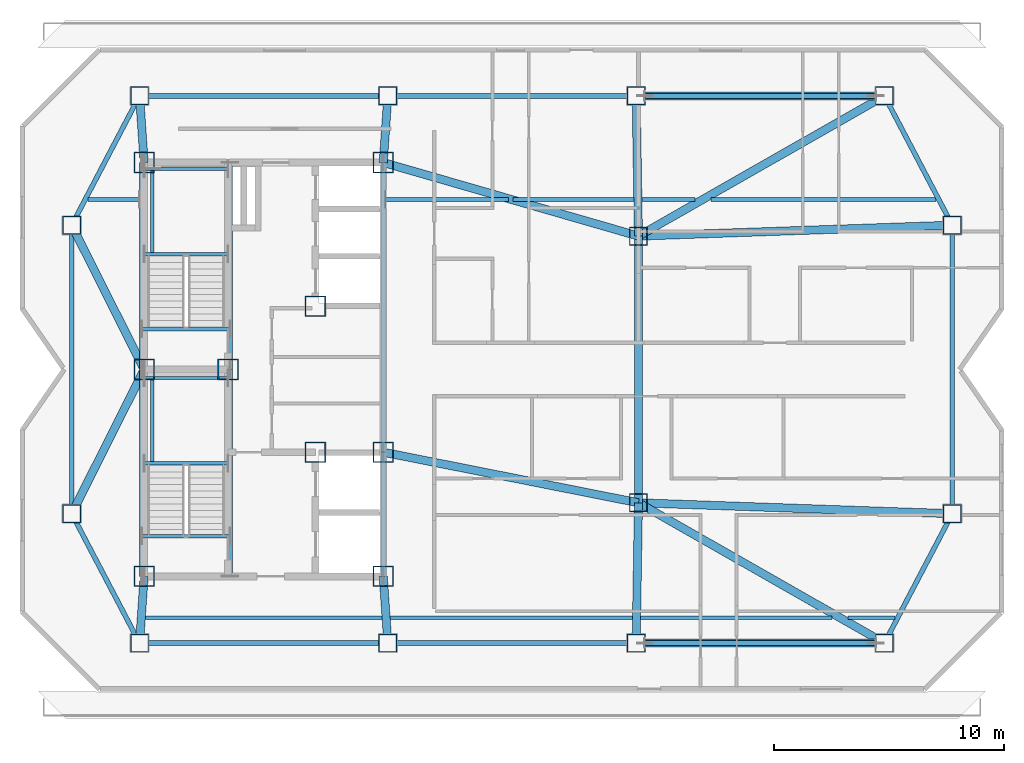
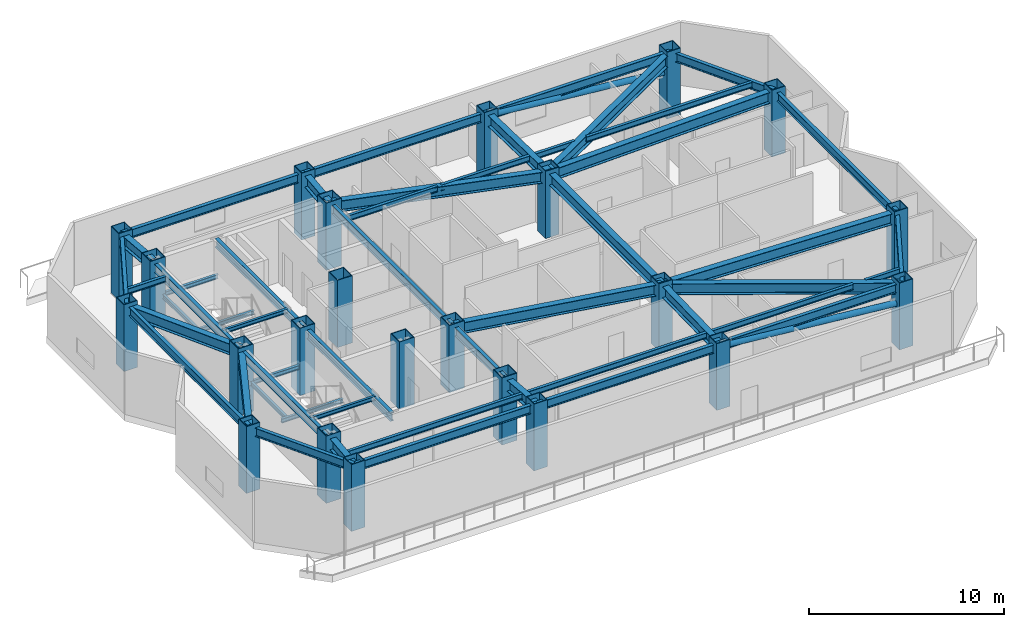
# One storey, part 1 of 11: 50 beams, 23 columns, 2 members.
"""IFC4 building model written with IfcOpenShell, lengths in metres."""

from ifc_helpers import new_model, si_unit, direction, frame, origin, origin_2d, place, context, subcontext, project, spatial, hollow_rectangle, hollow_circle, i_section, extrude, material, material_profile, profile_set, type_object, element, save


model = new_model("IFC4")

# Units and contexts
model_context = context("Model", 3, precision=1e-05, world=origin(), true_north=direction((0.0, 1.0)))
body_context = subcontext(model_context, "Body", "Model", "MODEL_VIEW")
ifc_project = project(units=[si_unit("LENGTHUNIT", "METRE"), si_unit("AREAUNIT", "SQUARE_METRE"), si_unit("VOLUMEUNIT", "CUBIC_METRE"), si_unit("PLANEANGLEUNIT", "RADIAN"), si_unit("MASSUNIT", "GRAM", prefix="KILO")], contexts=[model_context])

# Site, building, storey
site_placement = place(None, origin())
site = spatial("IfcSite", under=ifc_project, at=site_placement, CompositionType="ELEMENT")
building_placement = place(site_placement, origin())
building = spatial("IfcBuilding", under=site, at=building_placement, Name="Khamvora Tower", CompositionType="ELEMENT")
storey_placement = place(building_placement, frame((0.0, 0.0, 277.85009765625)))
storey = spatial("IfcBuildingStorey", under=building, at=storey_placement, Name="L71", CompositionType="ELEMENT", Elevation=277.85009765625)

# Columns
ifc_material_1 = material(Name="Steel S355", Category="steel")
ifc_material_profile_1 = material_profile(ifc_material_1, hollow_rectangle(XDim=0.800048828125, YDim=0.800048828125, WallThickness=0.0400390625, at=origin_2d()), Name="BOX800x800x40")
ifc_profile_set_1 = profile_set([ifc_material_profile_1], Name="Steel S355")
column_type_1 = type_object("IfcColumnType", Name="COL-BOX800", PredefinedType="COLUMN", material=ifc_profile_set_1)
for number, where, z_axis, x_axis, name in (
    (1, (28.800048828125, 16.10009765625, 0.02490234375), (0.0, 0.0, 1.0), (1.0, 0.0, 0.0), "L71 structural frame column S1"),
    (2, (39.60009765625, 16.10009765625, 0.02490234375), (0.0, 0.0, 1.0), (1.0, 0.0, 0.0), "L71 structural frame column S2"),
    (3, (50.39990234375, 16.10009765625, 0.02490234375), (0.0, 0.0, 1.0), (1.0, 0.0, 0.0), "L71 structural frame column S3"),
    (4, (61.199951171875, 16.10009765625, 0.02490234375), (0.0, 0.0, 1.0), (1.0, 0.0, 0.0), "L71 structural frame column S4"),
    (5, (28.800048828125, 39.89990234375, 0.02490234375), (0.0, 0.0, 1.0), (1.0, 0.0, 0.0), "L71 structural frame column N1"),
    (6, (39.60009765625, 39.89990234375, 0.02490234375), (0.0, 0.0, 1.0), (1.0, 0.0, 0.0), "L71 structural frame column N2"),
    (7, (50.39990234375, 39.89990234375, 0.02490234375), (0.0, 0.0, 1.0), (1.0, 0.0, 0.0), "L71 structural frame column N3"),
    (8, (61.199951171875, 39.89990234375, 0.02490234375), (0.0, 0.0, 1.0), (1.0, 0.0, 0.0), "L71 structural frame column N4"),
    (9, (25.85009765625, 21.72509765625, 0.02490234375), (0.0, 0.0, 1.0), (1.0, 0.0, 0.0), "L71 structural frame column W1"),
    (10, (25.85009765625, 34.27490234375, 0.02490234375), (0.0, 0.0, 1.0), (1.0, 0.0, 0.0), "L71 structural frame column W2"),
    (11, (64.14990234375, 21.72509765625, 0.02490234375), (0.0, 0.0, 1.0), (1.0, 0.0, 0.0), "L71 structural frame column E1"),
    (12, (64.14990234375, 34.27490234375, 0.02490234375), (0.0, 0.0, 1.0), (1.0, 0.0, 0.0), "L71 structural frame column E2"),
):
    element("IfcColumn", number, at=place(storey_placement, frame(where, z_axis=z_axis, x_axis=x_axis)), inside=storey, type_object=column_type_1, Name=name, PredefinedType="COLUMN", context=body_context, shape_type="SweptSolid", body=[
        extrude(hollow_rectangle(XDim=0.800048828125, YDim=0.800048828125, WallThickness=0.0400390625, at=origin_2d()), origin(), (0.0, 0.0, 1.0), 4.175048828125),
    ])
for number, where, z_axis, x_axis, name in (
    (13, (50.5, 22.199951171875, 0.0), (0.0, 0.0, 1.0), (1.0, 0.0, 0.0), "L71 structural frame column M1"),
    (14, (50.5, 33.800048828125, 0.0), (0.0, 0.0, 1.0), (1.0, 0.0, 0.0), "L71 structural frame column M2"),
):
    element("IfcColumn", number, at=place(storey_placement, frame(where, z_axis=z_axis, x_axis=x_axis)), inside=storey, type_object=column_type_1, Name=name, PredefinedType="COLUMN", context=body_context, shape_type="SweptSolid", body=[
        extrude(hollow_rectangle(XDim=0.800048828125, YDim=0.800048828125, WallThickness=0.0400390625, at=origin_2d()), origin(), (0.0, 0.0, 1.0), 4.199951171875),
    ])
ifc_material_2 = material(Name="Structural Steel S460ML", Category="steel")
ifc_material_profile_2 = material_profile(ifc_material_2, hollow_rectangle(XDim=0.89990234375, YDim=0.89990234375, WallThickness=0.044921875, at=origin_2d()), Name="BOX900x900x45")
ifc_profile_set_2 = profile_set([ifc_material_profile_2], Name="Structural Steel S460ML")
column_type_2 = type_object("IfcColumnType", Name="COL-SC-BOX900", PredefinedType="COLUMN", material=ifc_profile_set_2)
for number, where, z_axis, x_axis, name in (
    (15, (29.0, 19.0, 0.0), (0.0, 0.0, 1.0), (1.0, 0.0, 0.0), "L71 plumb core spine column SC1"),
    (16, (32.64990234375, 28.0, 0.0), (0.0, 0.0, 1.0), (1.0, 0.0, 0.0), "L71 plumb core spine column SC2"),
    (17, (39.39990234375, 19.0, 0.0), (0.0, 0.0, 1.0), (1.0, 0.0, 0.0), "L71 plumb core spine column SC3"),
    (18, (29.0, 28.0, 0.0), (0.0, 0.0, 1.0), (1.0, 0.0, 0.0), "L71 plumb core spine column SC4"),
    (19, (36.449951171875, 24.39990234375, 0.0), (0.0, 0.0, 1.0), (1.0, 0.0, 0.0), "L71 plumb core spine column SC5"),
    (20, (39.39990234375, 24.39990234375, 0.0), (0.0, 0.0, 1.0), (1.0, 0.0, 0.0), "L71 plumb core spine column SC6"),
    (21, (29.0, 37.0, 0.0), (0.0, 0.0, 1.0), (1.0, 0.0, 0.0), "L71 plumb core spine column SC7"),
    (22, (36.449951171875, 30.75, 0.0), (0.0, 0.0, 1.0), (1.0, 0.0, 0.0), "L71 plumb core spine column SC8"),
    (23, (39.39990234375, 37.0, 0.0), (0.0, 0.0, 1.0), (1.0, 0.0, 0.0), "L71 plumb core spine column SC9"),
):
    element("IfcColumn", number, at=place(storey_placement, frame(where, z_axis=z_axis, x_axis=x_axis)), inside=storey, type_object=column_type_2, Name=name, PredefinedType="COLUMN", context=body_context, shape_type="SweptSolid", body=[
        extrude(hollow_rectangle(XDim=0.89990234375, YDim=0.89990234375, WallThickness=0.044921875, at=origin_2d()), origin(), (0.0, 0.0, 1.0), 4.199951171875),
    ])

# Beams
ifc_material_profile_3 = material_profile(ifc_material_1, i_section(OverallWidth=0.1708984375, OverallDepth=0.35498046875, WebThickness=0.007080078125, FlangeThickness=0.011962890625, FilletRadius=0.010009765625, at=origin_2d()), Name="W360x51")
ifc_profile_set_3 = profile_set([ifc_material_profile_3], Name="Steel S355")
beam_type_1 = type_object("IfcBeamType", Name="BM-JS-W360x51", PredefinedType="JOIST", material=ifc_profile_set_3)
beam_1_placement = place(storey_placement, frame((29.049072265625, 17.199951171875, 3.77294921875), z_axis=(1.0, 0.0, 0.0), x_axis=(0.0, 1.0, 0.0)))
element("IfcBeam", 24, at=beam_1_placement, inside=storey, type_object=beam_type_1, Name="L71 secondary floor joist 01", PredefinedType="JOIST", context=body_context, shape_type="SweptSolid", body=[
    extrude(i_section(OverallWidth=0.1708984375, OverallDepth=0.35498046875, WebThickness=0.007080078125, FlangeThickness=0.011962890625, FilletRadius=0.010009765625, at=origin_2d()), origin(), (0.0, 0.0, 1.0), 10.302001953125),
])
beam_2_placement = place(storey_placement, frame((39.697021484375, 17.199951171875, 3.77294921875), z_axis=(1.0, 0.0, 0.0), x_axis=(0.0, 1.0, 0.0)))
element("IfcBeam", 25, at=beam_2_placement, inside=storey, type_object=beam_type_1, Name="L71 secondary floor joist 02", PredefinedType="JOIST", context=body_context, shape_type="SweptSolid", body=[
    extrude(i_section(OverallWidth=0.1708984375, OverallDepth=0.35498046875, WebThickness=0.007080078125, FlangeThickness=0.011962890625, FilletRadius=0.010009765625, at=origin_2d()), origin(), (0.0, 0.0, 1.0), 10.549072265625),
])
beam_3_placement = place(storey_placement, frame((50.591064453125, 17.199951171875, 3.77294921875), z_axis=(1.0, 0.0, 0.0), x_axis=(0.0, 1.0, 0.0)))
element("IfcBeam", 26, at=beam_3_placement, inside=storey, type_object=beam_type_1, Name="L71 secondary floor joist 03", PredefinedType="JOIST", context=body_context, shape_type="SweptSolid", body=[
    extrude(i_section(OverallWidth=0.1708984375, OverallDepth=0.35498046875, WebThickness=0.007080078125, FlangeThickness=0.011962890625, FilletRadius=0.010009765625, at=origin_2d()), origin(), (0.0, 0.0, 1.0), 8.325927734375),
])
beam_4_placement = place(storey_placement, frame((59.6240234375, 17.199951171875, 3.77294921875), z_axis=(1.0, 0.0, 0.0), x_axis=(0.0, 1.0, 0.0)))
element("IfcBeam", 27, at=beam_4_placement, inside=storey, type_object=beam_type_1, Name="L71 secondary floor joist 04", PredefinedType="JOIST", context=body_context, shape_type="SweptSolid", body=[
    extrude(i_section(OverallWidth=0.1708984375, OverallDepth=0.35498046875, WebThickness=0.007080078125, FlangeThickness=0.011962890625, FilletRadius=0.010009765625, at=origin_2d()), origin(), (0.0, 0.0, 1.0), 2.0400390625),
])
beam_5_placement = place(storey_placement, frame((26.552978515625, 35.39990234375, 3.77294921875), z_axis=(1.0, 0.0, 0.0), x_axis=(0.0, 1.0, 0.0)))
element("IfcBeam", 28, at=beam_5_placement, inside=storey, type_object=beam_type_1, Name="L71 secondary floor joist 05", PredefinedType="JOIST", context=body_context, shape_type="SweptSolid", body=[
    extrude(i_section(OverallWidth=0.1708984375, OverallDepth=0.35498046875, WebThickness=0.007080078125, FlangeThickness=0.011962890625, FilletRadius=0.010009765625, at=origin_2d()), origin(), (0.0, 0.0, 1.0), 2.2470703125),
])
beam_6_placement = place(storey_placement, frame((39.4990234375, 35.39990234375, 3.77294921875), z_axis=(1.0, 0.0, 0.0), x_axis=(0.0, 1.0, 0.0)))
element("IfcBeam", 29, at=beam_6_placement, inside=storey, type_object=beam_type_1, Name="L71 secondary floor joist 06", PredefinedType="JOIST", context=body_context, shape_type="SweptSolid", body=[
    extrude(i_section(OverallWidth=0.1708984375, OverallDepth=0.35498046875, WebThickness=0.007080078125, FlangeThickness=0.011962890625, FilletRadius=0.010009765625, at=origin_2d()), origin(), (0.0, 0.0, 1.0), 5.35595703125),
])
beam_7_placement = place(storey_placement, frame((45.044921875, 35.39990234375, 3.77294921875), z_axis=(1.0, 0.0, 0.0), x_axis=(0.0, 1.0, 0.0)))
element("IfcBeam", 30, at=beam_7_placement, inside=storey, type_object=beam_type_1, Name="L71 secondary floor joist 07", PredefinedType="JOIST", context=body_context, shape_type="SweptSolid", body=[
    extrude(i_section(OverallWidth=0.1708984375, OverallDepth=0.35498046875, WebThickness=0.007080078125, FlangeThickness=0.011962890625, FilletRadius=0.010009765625, at=origin_2d()), origin(), (0.0, 0.0, 1.0), 5.256103515625),
])
beam_8_placement = place(storey_placement, frame((50.64599609375, 35.39990234375, 3.77294921875), z_axis=(1.0, 0.0, 0.0), x_axis=(0.0, 1.0, 0.0)))
element("IfcBeam", 31, at=beam_8_placement, inside=storey, type_object=beam_type_1, Name="L71 secondary floor joist 08", PredefinedType="JOIST", context=body_context, shape_type="SweptSolid", body=[
    extrude(i_section(OverallWidth=0.1708984375, OverallDepth=0.35498046875, WebThickness=0.007080078125, FlangeThickness=0.011962890625, FilletRadius=0.010009765625, at=origin_2d()), origin(), (0.0, 0.0, 1.0), 2.306884765625),
])
beam_9_placement = place(storey_placement, frame((53.659912109375, 35.39990234375, 3.77294921875), z_axis=(1.0, 0.0, 0.0), x_axis=(0.0, 1.0, 0.0)))
element("IfcBeam", 32, at=beam_9_placement, inside=storey, type_object=beam_type_1, Name="L71 secondary floor joist 09", PredefinedType="JOIST", context=body_context, shape_type="SweptSolid", body=[
    extrude(i_section(OverallWidth=0.1708984375, OverallDepth=0.35498046875, WebThickness=0.007080078125, FlangeThickness=0.011962890625, FilletRadius=0.010009765625, at=origin_2d()), origin(), (0.0, 0.0, 1.0), 9.787109375),
])
ifc_material_profile_4 = material_profile(ifc_material_1, i_section(OverallWidth=0.14697265625, OverallDepth=0.261962890625, WebThickness=0.007080078125, FlangeThickness=0.010986328125, FilletRadius=0.008056640625, at=origin_2d()), Name="W250x39")
ifc_profile_set_4 = profile_set([ifc_material_profile_4], Name="Steel S355")
beam_type_2 = type_object("IfcBeamType", Name="BM-LN-W250x39", PredefinedType="LINTEL", material=ifc_profile_set_4)
for number, where, z_axis, x_axis, name in (
    (33, (29.0, 23.9150390625, 1.768798828125), (1.0, 0.0, 0.0), (0.0, 1.0, 0.0), "L71 ST-01 half-landing support beam 1.1"),
    (34, (29.0, 27.6298828125, 1.768798828125), (1.0, 0.0, 0.0), (0.0, 1.0, 0.0), "L71 ST-01 half-landing support beam 1.2"),
):
    element("IfcBeam", number, at=place(storey_placement, frame(where, z_axis=z_axis, x_axis=x_axis)), inside=storey, type_object=beam_type_2, Name=name, PredefinedType="LINTEL", context=body_context, shape_type="SweptSolid", body=[
        extrude(i_section(OverallWidth=0.14697265625, OverallDepth=0.261962890625, WebThickness=0.007080078125, FlangeThickness=0.010986328125, FilletRadius=0.008056640625, at=origin_2d()), origin(), (0.0, 0.0, 1.0), 3.64990234375),
    ])
beam_10_placement = place(storey_placement, frame((29.35009765625, 23.9150390625, 1.768798828125), z_axis=(0.0, 1.0, 0.0), x_axis=(-1.0, 0.0, 0.0)))
element("IfcBeam", 35, at=beam_10_placement, inside=storey, type_object=beam_type_2, Name="L71 ST-01 half-landing edge stringer 1", PredefinedType="LINTEL", context=body_context, shape_type="SweptSolid", body=[
    extrude(i_section(OverallWidth=0.14697265625, OverallDepth=0.261962890625, WebThickness=0.007080078125, FlangeThickness=0.010986328125, FilletRadius=0.008056640625, at=origin_2d()), origin(), (0.0, 0.0, 1.0), 3.71484375),
])
for number, where, z_axis, x_axis, name in (
    (36, (29.0, 33.014892578125, 1.768798828125), (1.0, 0.0, 0.0), (0.0, 1.0, 0.0), "L71 ST-02 half-landing support beam 1.1"),
    (37, (29.0, 36.72998046875, 1.768798828125), (1.0, 0.0, 0.0), (0.0, 1.0, 0.0), "L71 ST-02 half-landing support beam 1.2"),
):
    element("IfcBeam", number, at=place(storey_placement, frame(where, z_axis=z_axis, x_axis=x_axis)), inside=storey, type_object=beam_type_2, Name=name, PredefinedType="LINTEL", context=body_context, shape_type="SweptSolid", body=[
        extrude(i_section(OverallWidth=0.14697265625, OverallDepth=0.261962890625, WebThickness=0.007080078125, FlangeThickness=0.010986328125, FilletRadius=0.008056640625, at=origin_2d()), origin(), (0.0, 0.0, 1.0), 3.64990234375),
    ])
beam_11_placement = place(storey_placement, frame((29.35009765625, 33.014892578125, 1.768798828125), z_axis=(0.0, 1.0, 0.0), x_axis=(-1.0, 0.0, 0.0)))
element("IfcBeam", 38, at=beam_11_placement, inside=storey, type_object=beam_type_2, Name="L71 ST-02 half-landing edge stringer 1", PredefinedType="LINTEL", context=body_context, shape_type="SweptSolid", body=[
    extrude(i_section(OverallWidth=0.14697265625, OverallDepth=0.261962890625, WebThickness=0.007080078125, FlangeThickness=0.010986328125, FilletRadius=0.008056640625, at=origin_2d()), origin(), (0.0, 0.0, 1.0), 3.715087890625),
])
for number, where, z_axis, x_axis, name in (
    (39, (28.89990234375, 20.75, 3.823974609375), (1.0, 0.0, 0.0), (0.0, 1.0, 0.0), "L71 exit stair ST-01 landing trimmer beam"),
    (40, (28.89990234375, 29.75, 3.823974609375), (1.0, 0.0, 0.0), (0.0, 1.0, 0.0), "L71 exit stair ST-02 landing trimmer beam"),
):
    element("IfcBeam", number, at=place(storey_placement, frame(where, z_axis=z_axis, x_axis=x_axis)), inside=storey, type_object=beam_type_2, Name=name, PredefinedType="LINTEL", context=body_context, shape_type="SweptSolid", body=[
        extrude(i_section(OverallWidth=0.14697265625, OverallDepth=0.261962890625, WebThickness=0.007080078125, FlangeThickness=0.010986328125, FilletRadius=0.008056640625, at=origin_2d()), origin(), (0.0, 0.0, 1.0), 3.830078125),
    ])
ifc_material_profile_5 = material_profile(ifc_material_1, i_section(OverallWidth=0.35498046875, OverallDepth=0.695068359375, WebThickness=0.014892578125, FlangeThickness=0.02490234375, FilletRadius=0.01611328125, at=origin_2d()), Name="W690x217")
ifc_profile_set_5 = profile_set([ifc_material_profile_5], Name="Steel S355")
beam_type_3 = type_object("IfcBeamType", Name="BM-PG-W690x217", PredefinedType="BEAM", material=ifc_profile_set_5)
beam_12_placement = place(storey_placement, frame((50.5, 22.199951171875, 3.601806640625), z_axis=(0.0, 1.0, 0.0), x_axis=(-1.0, 0.0, 0.0)))
element("IfcBeam", 41, at=beam_12_placement, inside=storey, type_object=beam_type_3, Name="L71 longitudinal frame girder M1-M2", PredefinedType="BEAM", context=body_context, shape_type="SweptSolid", body=[
    extrude(i_section(OverallWidth=0.35498046875, OverallDepth=0.695068359375, WebThickness=0.014892578125, FlangeThickness=0.02490234375, FilletRadius=0.01611328125, at=origin_2d()), origin(), (0.0, 0.0, 1.0), 11.60009765625),
])
for number, where, z_axis, x_axis, name in (
    (42, (29.0, 19.0, 3.601806640625), (-0.06878767915, -0.997631322281, 0.0), (0.997631322281, -0.06878767915, 0.0), "L71 primary floor girder S1"),
    (43, (39.39990234375, 19.0, 3.601806640625), (0.068871270847, -0.997625555031, 0.0), (0.997625555031, 0.068871270847, 0.0), "L71 primary floor girder S2"),
):
    element("IfcBeam", number, at=place(storey_placement, frame(where, z_axis=z_axis, x_axis=x_axis)), inside=storey, type_object=beam_type_3, Name=name, PredefinedType="BEAM", context=body_context, shape_type="SweptSolid", body=[
        extrude(i_section(OverallWidth=0.35498046875, OverallDepth=0.695068359375, WebThickness=0.014892578125, FlangeThickness=0.02490234375, FilletRadius=0.01611328125, at=origin_2d()), origin(), (0.0, 0.0, 1.0), 2.90673828125),
    ])
beam_13_placement = place(storey_placement, frame((50.5, 22.199951171875, 3.601806640625), z_axis=(-0.016407636907, -0.999865385665, 0.0), x_axis=(0.999865385665, -0.016407636907, 0.0)))
element("IfcBeam", 44, at=beam_13_placement, inside=storey, type_object=beam_type_3, Name="L71 primary floor girder S3", PredefinedType="BEAM", context=body_context, shape_type="SweptSolid", body=[
    extrude(i_section(OverallWidth=0.35498046875, OverallDepth=0.695068359375, WebThickness=0.014892578125, FlangeThickness=0.02490234375, FilletRadius=0.01611328125, at=origin_2d()), origin(), (0.0, 0.0, 1.0), 6.1005859375),
])
beam_14_placement = place(storey_placement, frame((50.5, 22.199951171875, 3.601806640625), z_axis=(0.868746482726, -0.495257053207, 0.0), x_axis=(0.495257053207, 0.868746482726, 0.0)))
element("IfcBeam", 45, at=beam_14_placement, inside=storey, type_object=beam_type_3, Name="L71 primary floor girder S4", PredefinedType="BEAM", context=body_context, shape_type="SweptSolid", body=[
    extrude(i_section(OverallWidth=0.35498046875, OverallDepth=0.695068359375, WebThickness=0.014892578125, FlangeThickness=0.02490234375, FilletRadius=0.01611328125, at=origin_2d()), origin(), (0.0, 0.0, 1.0), 12.316650390625),
])
for number, where, z_axis, x_axis, name in (
    (46, (29.0, 37.0, 3.601806640625), (-0.06878767915, 0.997631322281, 0.0), (-0.997631322281, -0.06878767915, 0.0), "L71 primary floor girder N1"),
    (47, (39.39990234375, 37.0, 3.601806640625), (0.068871270847, 0.997625555031, 0.0), (-0.997625555031, 0.068871270847, 0.0), "L71 primary floor girder N2"),
):
    element("IfcBeam", number, at=place(storey_placement, frame(where, z_axis=z_axis, x_axis=x_axis)), inside=storey, type_object=beam_type_3, Name=name, PredefinedType="BEAM", context=body_context, shape_type="SweptSolid", body=[
        extrude(i_section(OverallWidth=0.35498046875, OverallDepth=0.695068359375, WebThickness=0.014892578125, FlangeThickness=0.02490234375, FilletRadius=0.01611328125, at=origin_2d()), origin(), (0.0, 0.0, 1.0), 2.90673828125),
    ])
beam_15_placement = place(storey_placement, frame((50.5, 33.800048828125, 3.601806640625), z_axis=(-0.016407636907, 0.999865385665, 0.0), x_axis=(-0.999865385665, -0.016407636907, 0.0)))
element("IfcBeam", 48, at=beam_15_placement, inside=storey, type_object=beam_type_3, Name="L71 primary floor girder N3", PredefinedType="BEAM", context=body_context, shape_type="SweptSolid", body=[
    extrude(i_section(OverallWidth=0.35498046875, OverallDepth=0.695068359375, WebThickness=0.014892578125, FlangeThickness=0.02490234375, FilletRadius=0.01611328125, at=origin_2d()), origin(), (0.0, 0.0, 1.0), 6.1005859375),
])
beam_16_placement = place(storey_placement, frame((50.5, 33.800048828125, 3.601806640625), z_axis=(0.868746482726, 0.495257053207, 0.0), x_axis=(-0.495257053207, 0.868746482726, 0.0)))
element("IfcBeam", 49, at=beam_16_placement, inside=storey, type_object=beam_type_3, Name="L71 primary floor girder N4", PredefinedType="BEAM", context=body_context, shape_type="SweptSolid", body=[
    extrude(i_section(OverallWidth=0.35498046875, OverallDepth=0.695068359375, WebThickness=0.014892578125, FlangeThickness=0.02490234375, FilletRadius=0.01611328125, at=origin_2d()), origin(), (0.0, 0.0, 1.0), 12.316650390625),
])
for number, where, z_axis, x_axis, name in (
    (50, (29.0, 28.0, 3.601806640625), (-0.448631741267, -0.893716711675, 0.0), (0.893716711675, -0.448631741267, 0.0), "L71 primary floor girder W1"),
    (51, (29.0, 28.0, 3.601806640625), (-0.448631741267, 0.893716711675, 0.0), (-0.893716711675, -0.448631741267, 0.0), "L71 primary floor girder W2"),
):
    element("IfcBeam", number, at=place(storey_placement, frame(where, z_axis=z_axis, x_axis=x_axis)), inside=storey, type_object=beam_type_3, Name=name, PredefinedType="BEAM", context=body_context, shape_type="SweptSolid", body=[
        extrude(i_section(OverallWidth=0.35498046875, OverallDepth=0.695068359375, WebThickness=0.014892578125, FlangeThickness=0.02490234375, FilletRadius=0.01611328125, at=origin_2d()), origin(), (0.0, 0.0, 1.0), 7.021240234375),
    ])
for number, where, z_axis, x_axis, name in (
    (52, (50.5, 22.199951171875, 3.601806640625), (0.999395444385, -0.034767020914, 0.0), (0.034767020914, 0.999395444385, 0.0), "L71 primary floor girder E1"),
    (53, (50.5, 33.800048828125, 3.601806640625), (0.999395444385, 0.034767020914, 0.0), (-0.034767020914, 0.999395444385, 0.0), "L71 primary floor girder E2"),
):
    element("IfcBeam", number, at=place(storey_placement, frame(where, z_axis=z_axis, x_axis=x_axis)), inside=storey, type_object=beam_type_3, Name=name, PredefinedType="BEAM", context=body_context, shape_type="SweptSolid", body=[
        extrude(i_section(OverallWidth=0.35498046875, OverallDepth=0.695068359375, WebThickness=0.014892578125, FlangeThickness=0.02490234375, FilletRadius=0.01611328125, at=origin_2d()), origin(), (0.0, 0.0, 1.0), 13.658203125),
    ])
beam_17_placement = place(storey_placement, frame((39.39990234375, 24.39990234375, 3.601806640625), z_axis=(0.980920240909, -0.194410598927, 0.0), x_axis=(0.194410598927, 0.980920240909, 0.0)))
element("IfcBeam", 54, at=beam_17_placement, inside=storey, type_object=beam_type_3, Name="L71 primary floor girder M1", PredefinedType="BEAM", context=body_context, shape_type="SweptSolid", body=[
    extrude(i_section(OverallWidth=0.35498046875, OverallDepth=0.695068359375, WebThickness=0.014892578125, FlangeThickness=0.02490234375, FilletRadius=0.01611328125, at=origin_2d()), origin(), (0.0, 0.0, 1.0), 11.31591796875),
])
beam_18_placement = place(storey_placement, frame((39.39990234375, 37.0, 3.601806640625), z_axis=(0.960869684076, -0.277000812677, 0.0), x_axis=(0.277000812677, 0.960869684076, 0.0)))
element("IfcBeam", 55, at=beam_18_placement, inside=storey, type_object=beam_type_3, Name="L71 primary floor girder M2", PredefinedType="BEAM", context=body_context, shape_type="SweptSolid", body=[
    extrude(i_section(OverallWidth=0.35498046875, OverallDepth=0.695068359375, WebThickness=0.014892578125, FlangeThickness=0.02490234375, FilletRadius=0.01611328125, at=origin_2d()), origin(), (0.0, 0.0, 1.0), 11.55224609375),
])
ifc_material_profile_6 = material_profile(ifc_material_1, i_section(OverallWidth=0.208984375, OverallDepth=0.532958984375, WebThickness=0.010009765625, FlangeThickness=0.01611328125, FilletRadius=0.013916015625, at=origin_2d()), Name="W530x92")
ifc_profile_set_6 = profile_set([ifc_material_profile_6], Name="Steel S355")
beam_type_4 = type_object("IfcBeamType", Name="BM-SP-W530x92", PredefinedType="SPANDREL", material=ifc_profile_set_6)
beam_19_placement = place(storey_placement, frame((25.85009765625, 21.72509765625, 3.683837890625), z_axis=(0.464442132217, -0.885603469856, 0.0), x_axis=(0.885603469856, 0.464442132217, 0.0)))
element("IfcBeam", 56, at=beam_19_placement, inside=storey, type_object=beam_type_4, Name="L71 perimeter spandrel beam W1-S1", PredefinedType="SPANDREL", context=body_context, shape_type="SweptSolid", body=[
    extrude(i_section(OverallWidth=0.208984375, OverallDepth=0.532958984375, WebThickness=0.010009765625, FlangeThickness=0.01611328125, FilletRadius=0.013916015625, at=origin_2d()), origin(), (0.0, 0.0, 1.0), 6.3515625),
])
beam_20_placement = place(storey_placement, frame((28.800048828125, 16.10009765625, 3.683837890625), z_axis=(1.0, 0.0, 0.0), x_axis=(0.0, 1.0, 0.0)))
element("IfcBeam", 57, at=beam_20_placement, inside=storey, type_object=beam_type_4, Name="L71 perimeter spandrel beam S1-S2", PredefinedType="SPANDREL", context=body_context, shape_type="SweptSolid", body=[
    extrude(i_section(OverallWidth=0.208984375, OverallDepth=0.532958984375, WebThickness=0.010009765625, FlangeThickness=0.01611328125, FilletRadius=0.013916015625, at=origin_2d()), origin(), (0.0, 0.0, 1.0), 10.800048828125),
])
beam_21_placement = place(storey_placement, frame((39.60009765625, 16.10009765625, 3.683837890625), z_axis=(1.0, 0.0, 0.0), x_axis=(0.0, 1.0, 0.0)))
element("IfcBeam", 58, at=beam_21_placement, inside=storey, type_object=beam_type_4, Name="L71 perimeter spandrel beam S2-S3", PredefinedType="SPANDREL", context=body_context, shape_type="SweptSolid", body=[
    extrude(i_section(OverallWidth=0.208984375, OverallDepth=0.532958984375, WebThickness=0.010009765625, FlangeThickness=0.01611328125, FilletRadius=0.013916015625, at=origin_2d()), origin(), (0.0, 0.0, 1.0), 10.7998046875),
])
beam_22_placement = place(storey_placement, frame((50.39990234375, 16.10009765625, 3.683837890625), z_axis=(1.0, 0.0, 0.0), x_axis=(0.0, 1.0, 0.0)))
element("IfcBeam", 59, at=beam_22_placement, inside=storey, type_object=beam_type_4, Name="L71 perimeter spandrel beam S3-S4", PredefinedType="SPANDREL", context=body_context, shape_type="SweptSolid", body=[
    extrude(i_section(OverallWidth=0.208984375, OverallDepth=0.532958984375, WebThickness=0.010009765625, FlangeThickness=0.01611328125, FilletRadius=0.013916015625, at=origin_2d()), origin(), (0.0, 0.0, 1.0), 10.800048828125),
])
beam_23_placement = place(storey_placement, frame((61.199951171875, 16.10009765625, 3.683837890625), z_axis=(0.464442132217, 0.885603469856, 0.0), x_axis=(-0.885603469856, 0.464442132217, 0.0)))
element("IfcBeam", 60, at=beam_23_placement, inside=storey, type_object=beam_type_4, Name="L71 perimeter spandrel beam S4-E1", PredefinedType="SPANDREL", context=body_context, shape_type="SweptSolid", body=[
    extrude(i_section(OverallWidth=0.208984375, OverallDepth=0.532958984375, WebThickness=0.010009765625, FlangeThickness=0.01611328125, FilletRadius=0.013916015625, at=origin_2d()), origin(), (0.0, 0.0, 1.0), 6.3515625),
])
beam_24_placement = place(storey_placement, frame((64.14990234375, 21.72509765625, 3.683837890625), z_axis=(0.0, 1.0, 0.0), x_axis=(-1.0, 0.0, 0.0)))
element("IfcBeam", 61, at=beam_24_placement, inside=storey, type_object=beam_type_4, Name="L71 perimeter spandrel beam E1-E2", PredefinedType="SPANDREL", context=body_context, shape_type="SweptSolid", body=[
    extrude(i_section(OverallWidth=0.208984375, OverallDepth=0.532958984375, WebThickness=0.010009765625, FlangeThickness=0.01611328125, FilletRadius=0.013916015625, at=origin_2d()), origin(), (0.0, 0.0, 1.0), 12.5498046875),
])
beam_25_placement = place(storey_placement, frame((64.14990234375, 34.27490234375, 3.683837890625), z_axis=(-0.464442132217, 0.885603469856, 0.0), x_axis=(-0.885603469856, -0.464442132217, 0.0)))
element("IfcBeam", 62, at=beam_25_placement, inside=storey, type_object=beam_type_4, Name="L71 perimeter spandrel beam E2-N4", PredefinedType="SPANDREL", context=body_context, shape_type="SweptSolid", body=[
    extrude(i_section(OverallWidth=0.208984375, OverallDepth=0.532958984375, WebThickness=0.010009765625, FlangeThickness=0.01611328125, FilletRadius=0.013916015625, at=origin_2d()), origin(), (0.0, 0.0, 1.0), 6.3515625),
])
beam_26_placement = place(storey_placement, frame((61.199951171875, 39.89990234375, 3.683837890625), z_axis=(-1.0, 0.0, 0.0), x_axis=(0.0, -1.0, 0.0)))
element("IfcBeam", 63, at=beam_26_placement, inside=storey, type_object=beam_type_4, Name="L71 perimeter spandrel beam N4-N3", PredefinedType="SPANDREL", context=body_context, shape_type="SweptSolid", body=[
    extrude(i_section(OverallWidth=0.208984375, OverallDepth=0.532958984375, WebThickness=0.010009765625, FlangeThickness=0.01611328125, FilletRadius=0.013916015625, at=origin_2d()), origin(), (0.0, 0.0, 1.0), 10.800048828125),
])
beam_27_placement = place(storey_placement, frame((50.39990234375, 39.89990234375, 3.683837890625), z_axis=(-1.0, 0.0, 0.0), x_axis=(0.0, -1.0, 0.0)))
element("IfcBeam", 64, at=beam_27_placement, inside=storey, type_object=beam_type_4, Name="L71 perimeter spandrel beam N3-N2", PredefinedType="SPANDREL", context=body_context, shape_type="SweptSolid", body=[
    extrude(i_section(OverallWidth=0.208984375, OverallDepth=0.532958984375, WebThickness=0.010009765625, FlangeThickness=0.01611328125, FilletRadius=0.013916015625, at=origin_2d()), origin(), (0.0, 0.0, 1.0), 10.7998046875),
])
beam_28_placement = place(storey_placement, frame((39.60009765625, 39.89990234375, 3.683837890625), z_axis=(-1.0, 0.0, 0.0), x_axis=(0.0, -1.0, 0.0)))
element("IfcBeam", 65, at=beam_28_placement, inside=storey, type_object=beam_type_4, Name="L71 perimeter spandrel beam N2-N1", PredefinedType="SPANDREL", context=body_context, shape_type="SweptSolid", body=[
    extrude(i_section(OverallWidth=0.208984375, OverallDepth=0.532958984375, WebThickness=0.010009765625, FlangeThickness=0.01611328125, FilletRadius=0.013916015625, at=origin_2d()), origin(), (0.0, 0.0, 1.0), 10.800048828125),
])
beam_29_placement = place(storey_placement, frame((28.800048828125, 39.89990234375, 3.683837890625), z_axis=(-0.464442132217, -0.885603469856, 0.0), x_axis=(0.885603469856, -0.464442132217, 0.0)))
element("IfcBeam", 66, at=beam_29_placement, inside=storey, type_object=beam_type_4, Name="L71 perimeter spandrel beam N1-W2", PredefinedType="SPANDREL", context=body_context, shape_type="SweptSolid", body=[
    extrude(i_section(OverallWidth=0.208984375, OverallDepth=0.532958984375, WebThickness=0.010009765625, FlangeThickness=0.01611328125, FilletRadius=0.013916015625, at=origin_2d()), origin(), (0.0, 0.0, 1.0), 6.3515625),
])
beam_30_placement = place(storey_placement, frame((25.85009765625, 34.27490234375, 3.683837890625), z_axis=(0.0, -1.0, 0.0), x_axis=(1.0, 0.0, 0.0)))
element("IfcBeam", 67, at=beam_30_placement, inside=storey, type_object=beam_type_4, Name="L71 perimeter spandrel beam W2-W1", PredefinedType="SPANDREL", context=body_context, shape_type="SweptSolid", body=[
    extrude(i_section(OverallWidth=0.208984375, OverallDepth=0.532958984375, WebThickness=0.010009765625, FlangeThickness=0.01611328125, FilletRadius=0.013916015625, at=origin_2d()), origin(), (0.0, 0.0, 1.0), 12.5498046875),
])
for number, where, z_axis, x_axis, name in (
    (68, (28.89990234375, 19.0, 3.683837890625), (0.0, 1.0, 0.0), (-1.0, 0.0, 0.0), "L71 core spine girder WS"),
    (69, (28.89990234375, 28.0, 3.683837890625), (0.0, 1.0, 0.0), (-1.0, 0.0, 0.0), "L71 core spine girder WN"),
    (70, (32.72998046875, 19.0, 3.683837890625), (0.0, 1.0, 0.0), (-1.0, 0.0, 0.0), "L71 core spine girder M1S"),
    (71, (32.72998046875, 28.0, 3.683837890625), (0.0, 1.0, 0.0), (-1.0, 0.0, 0.0), "L71 core spine girder M1N"),
):
    element("IfcBeam", number, at=place(storey_placement, frame(where, z_axis=z_axis, x_axis=x_axis)), inside=storey, type_object=beam_type_4, Name=name, PredefinedType="SPANDREL", context=body_context, shape_type="SweptSolid", body=[
        extrude(i_section(OverallWidth=0.208984375, OverallDepth=0.532958984375, WebThickness=0.010009765625, FlangeThickness=0.01611328125, FilletRadius=0.013916015625, at=origin_2d()), origin(), (0.0, 0.0, 1.0), 9.0),
    ])
beam_31_placement = place(storey_placement, frame((39.39990234375, 19.0, 3.683837890625), z_axis=(0.0, 1.0, 0.0), x_axis=(-1.0, 0.0, 0.0)))
element("IfcBeam", 72, at=beam_31_placement, inside=storey, type_object=beam_type_4, Name="L71 core spine girder ES", PredefinedType="SPANDREL", context=body_context, shape_type="SweptSolid", body=[
    extrude(i_section(OverallWidth=0.208984375, OverallDepth=0.532958984375, WebThickness=0.010009765625, FlangeThickness=0.01611328125, FilletRadius=0.013916015625, at=origin_2d()), origin(), (0.0, 0.0, 1.0), 5.39990234375),
])
beam_32_placement = place(storey_placement, frame((39.39990234375, 24.39990234375, 3.683837890625), z_axis=(0.0, 1.0, 0.0), x_axis=(-1.0, 0.0, 0.0)))
element("IfcBeam", 73, at=beam_32_placement, inside=storey, type_object=beam_type_4, Name="L71 core spine girder EN", PredefinedType="SPANDREL", context=body_context, shape_type="SweptSolid", body=[
    extrude(i_section(OverallWidth=0.208984375, OverallDepth=0.532958984375, WebThickness=0.010009765625, FlangeThickness=0.01611328125, FilletRadius=0.013916015625, at=origin_2d()), origin(), (0.0, 0.0, 1.0), 12.60009765625),
])

# Members
ifc_material_profile_7 = material_profile(ifc_material_1, hollow_circle(Radius=0.177978515625, WallThickness=0.013916015625, at=origin_2d()), Name="CHS356x14")
ifc_profile_set_7 = profile_set([ifc_material_profile_7], Name="Steel S355")
member_type = type_object("IfcMemberType", Name="MEM-BR-CHS356", PredefinedType="BRACE", material=ifc_profile_set_7)
for number, where, z_axis, x_axis, name in (
    (74, (60.822021484375, 16.10009765625, 2.71484375), (-0.995703395915, 0.0, 0.092599931764), (0.0, -1.0, 0.0), "L71 perimeter wind brace 1"),
    (75, (60.822021484375, 39.89990234375, 2.71484375), (-0.995703395915, 0.0, 0.092599931764), (0.0, -1.0, 0.0), "L71 perimeter wind brace 2"),
):
    element("IfcMember", number, at=place(storey_placement, frame(where, z_axis=z_axis, x_axis=x_axis)), inside=storey, type_object=member_type, Name=name, PredefinedType="BRACE", context=body_context, shape_type="SweptSolid", body=[
        extrude(hollow_circle(Radius=0.177978515625, WallThickness=0.013916015625, at=origin_2d()), origin(), (0.0, 0.0, 1.0), 10.08740234375),
    ])

save(model, "model.ifc")
